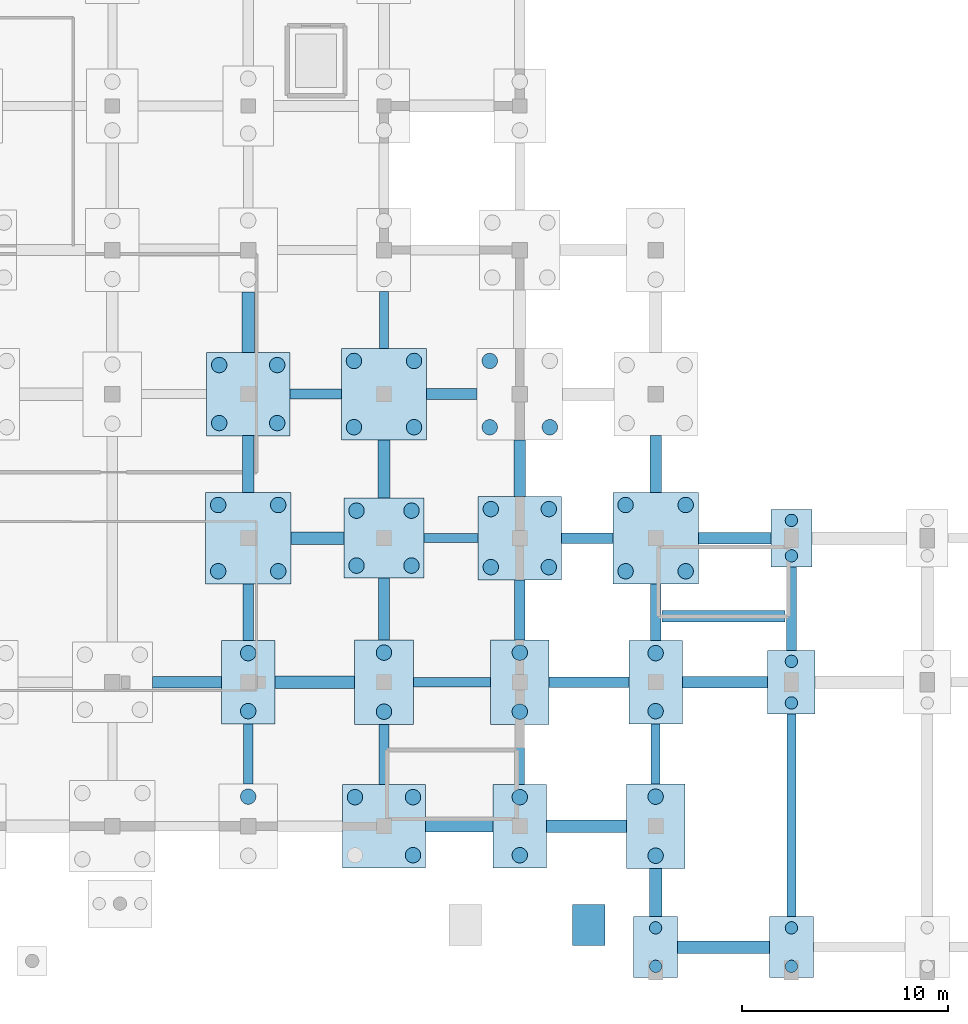
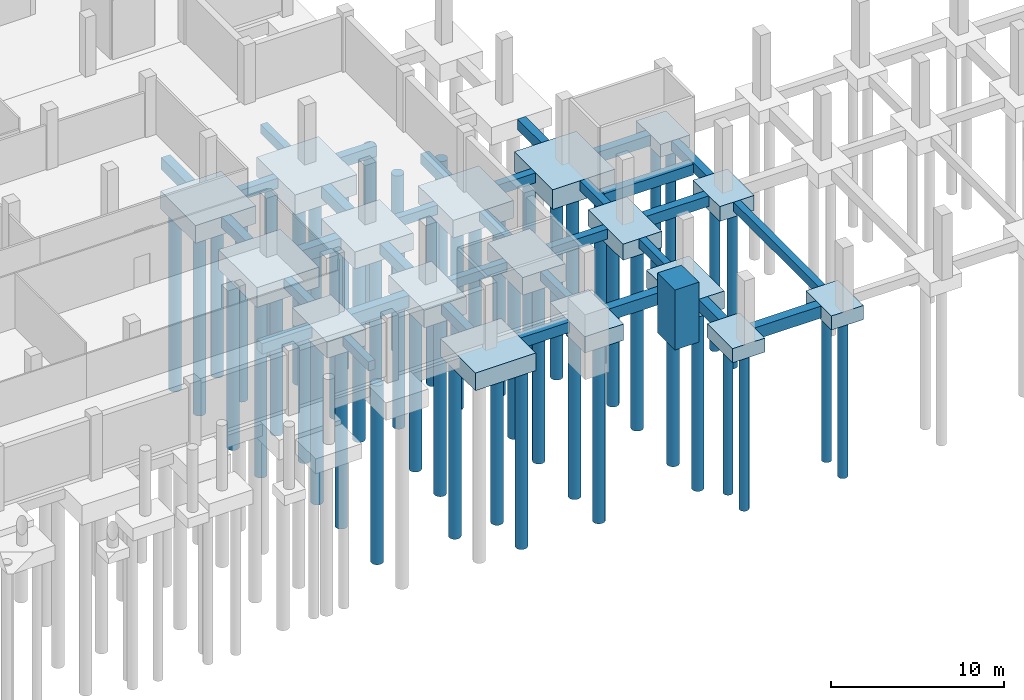
# One storey, part 5 of 27: 51 piles, 50 footings.
"""IFC4 building model written with IfcOpenShell, lengths in metres."""

import ifcopenshell
import ifcopenshell.guid

model = None  # the IFC model being written
_history = None  # IfcOwnerHistory: only IFC2X3 demands one
_inside = {}  # id of a spatial element -> (the spatial element, [elements in it])
_under = {}  # id of a project, library or spatial element -> (it, [spatial elements below it])
_declared = {}  # id of a project -> (the project, [libraries it declares])
_typed = {}  # id of a type object -> (the type object, [elements of that type])
_made_of = {}  # id of a material, layer set ... -> (it, [elements and type objects made of it])


def new_model(schema):
    """Start an empty IFC model of exactly this schema.

    Asked for "IFC4X3", IfcOpenShell would pick the latest addendum, in which some entities
    have other attributes; the version numbers below select the first issue.
    IFC2X3 requires an IfcOwnerHistory on every rooted entity: one is made here for all.
    """
    global model, _history
    if schema == "IFC4X3":
        model = ifcopenshell.file(schema_version=(4, 3, 0, 0))
    else:
        model = ifcopenshell.file(schema=schema)
    _inside.clear()
    _under.clear()
    _declared.clear()
    _typed.clear()
    _made_of.clear()
    _history = None
    if model.schema == "IFC2X3":
        org = make("IfcOrganization", Name="unknown")
        user = make(
            "IfcPersonAndOrganization",
            ThePerson=make("IfcPerson", FamilyName="unknown"),
            TheOrganization=org,
        )
        app = make(
            "IfcApplication",
            ApplicationDeveloper=org,
            Version="unknown",
            ApplicationFullName="unknown",
            ApplicationIdentifier="unknown",
        )
        _history = make(
            "IfcOwnerHistory",
            OwningUser=user,
            OwningApplication=app,
            ChangeAction="ADDED",
            CreationDate=0,
        )
    return model


def make(cls, **values):
    """One entity of the class cls with the attributes given. An attribute that is None is left unset."""
    return model.create_entity(
        cls, **{name: value for name, value in values.items() if value is not None}
    )


def rooted(cls, **values):
    """An entity with a GlobalId (a new one), such as an element, a storey or a relation."""
    return make(cls, GlobalId=ifcopenshell.guid.new(), OwnerHistory=_history, **values)


def si_unit(unit_type, name, prefix=None):
    """IfcSIUnit, for example si_unit("LENGTHUNIT", "METRE", prefix="MILLI")."""
    return make("IfcSIUnit", UnitType=unit_type, Prefix=prefix, Name=name)


def assignment(units):
    """IfcUnitAssignment: the units of a project."""
    return None if units is None else make("IfcUnitAssignment", Units=units)


def point(xyz):
    """IfcCartesianPoint."""
    return None if xyz is None else make("IfcCartesianPoint", Coordinates=xyz)


def direction(xyz):
    """IfcDirection."""
    return None if xyz is None else make("IfcDirection", DirectionRatios=xyz)


def frame(location, z_axis=None, x_axis=None):
    """IfcAxis2Placement3D, a coordinate frame: its origin and axes. An axis left out is left unset."""
    return make(
        "IfcAxis2Placement3D",
        Location=point(location),
        Axis=direction(z_axis),
        RefDirection=direction(x_axis),
    )


def frame_2d(location, x_axis=None):
    """IfcAxis2Placement2D, a coordinate frame in the plane: its origin and x axis."""
    return make(
        "IfcAxis2Placement2D", Location=point(location), RefDirection=direction(x_axis)
    )


def origin():
    """The frame at (0, 0, 0) with its axes left unset."""
    return frame((0.0, 0.0, 0.0))


def origin_2d():
    """The frame at (0, 0) in the plane with its x axis left unset."""
    return frame_2d((0.0, 0.0))


def place(relative_to, where):
    """IfcLocalPlacement: puts the frame where relative to a parent placement (None: the world)."""
    return make(
        "IfcLocalPlacement", PlacementRelTo=relative_to, RelativePlacement=where
    )


def context(
    kind, dimensions, precision=None, world=None, true_north=None, identifier=None
):
    """IfcGeometricRepresentationContext, for example the 3D "Model" context."""
    return make(
        "IfcGeometricRepresentationContext",
        ContextIdentifier=identifier,
        ContextType=kind,
        CoordinateSpaceDimension=dimensions,
        Precision=precision,
        WorldCoordinateSystem=world,
        TrueNorth=true_north,
    )


def subcontext(parent, identifier, kind, view, scale=None):
    """IfcGeometricRepresentationSubContext, for example "Body" below "Model"."""
    return make(
        "IfcGeometricRepresentationSubContext",
        ContextIdentifier=identifier,
        ContextType=kind,
        ParentContext=parent,
        TargetScale=scale,
        TargetView=view,
    )


def project(units=None, contexts=None):
    """IfcProject with its units and contexts."""
    return rooted(
        "IfcProject",
        Name="project",
        RepresentationContexts=contexts,
        UnitsInContext=assignment(units),
    )


def spatial(cls, under=None, at=None, **own):
    """A site, building, storey or space (cls), placed at a placement, below another one or the project."""
    s = rooted(cls, ObjectPlacement=at, **own)
    if under is not None:
        _under.setdefault(under.id(), (under, []))[1].append(s)
    return s


def profile(cls, at=None, kind="AREA", **sizes):
    """A parametric profile (cls). Its sizes go by their IFC names, for example OverallWidth=200.0."""
    return make(cls, ProfileType=kind, Position=at, **sizes)


def rectangle(**sizes):
    """IfcRectangleProfileDef."""
    return profile("IfcRectangleProfileDef", **sizes)


def circle(**sizes):
    """IfcCircleProfileDef."""
    return profile("IfcCircleProfileDef", **sizes)


def extrude(swept, where, along, depth):
    """IfcExtrudedAreaSolid: the profile swept, set in the frame where, extruded along a direction by depth."""
    return make(
        "IfcExtrudedAreaSolid",
        SweptArea=swept,
        Position=where,
        ExtrudedDirection=direction(along),
        Depth=depth,
    )


def shape(context_of_items, identifier, shape_type, items):
    """IfcShapeRepresentation: the items that make up one representation, for example the "Body"."""
    return make(
        "IfcShapeRepresentation",
        ContextOfItems=context_of_items,
        RepresentationIdentifier=identifier,
        RepresentationType=shape_type,
        Items=items,
    )


def material(Name=None, Category=None):
    """IfcMaterial."""
    return make("IfcMaterial", Name=Name, Category=Category)


def material_profile(
    of_material, cross_section, Name=None, Category=None, Priority=None
):
    """IfcMaterialProfile: a cross section and its material."""
    return make(
        "IfcMaterialProfile",
        Name=Name,
        Material=of_material,
        Profile=cross_section,
        Priority=Priority,
        Category=Category,
    )


def profile_set(profiles, Name=None, composite=None):
    """IfcMaterialProfileSet."""
    return make(
        "IfcMaterialProfileSet",
        Name=Name,
        MaterialProfiles=profiles,
        CompositeProfile=composite,
    )


def made_of(thing, what):
    """Note that an element or type object is made of a material, layer set ...; save() writes the relation."""
    if what is not None:
        _made_of.setdefault(what.id(), (what, []))[1].append(thing)
    return thing


def type_object(cls, material=None, **own):
    """A type object (cls), such as IfcWallType, which elements share."""
    return made_of(rooted(cls, **own), material)


def element(
    cls,
    number,
    at=None,
    inside=None,
    cuts=None,
    type_object=None,
    material=None,
    context=None,
    identifier="Body",
    shape_type=None,
    held_by="IfcProductDefinitionShape",
    body=None,
    shapes=None,
    **own,
):
    """One element of the class cls, such as IfcWall. Its Tag is "e" and its number.

    at: its placement. inside: the storey or other place that contains it. cuts: it is an
    opening in that element (IfcRelVoidsElement). A single representation is given by context,
    identifier, shape_type and body (its items); several are given by shapes. held_by: the class
    of the entity that holds the representations. save() writes the other relations.
    """
    e = rooted(cls, Tag="e%d" % number, ObjectPlacement=at, **own)
    if body is not None:
        shapes = [shape(context, identifier, shape_type, body)]
    if shapes is not None:
        e.Representation = make(held_by, Representations=shapes)
    if inside is not None:
        _inside.setdefault(inside.id(), (inside, []))[1].append(e)
    if cuts is not None:
        rooted(
            "IfcRelVoidsElement", RelatingBuildingElement=cuts, RelatedOpeningElement=e
        )
    if type_object is not None:
        _typed.setdefault(type_object.id(), (type_object, []))[1].append(e)
    return made_of(e, material)


def aggregate(whole, parts):
    """IfcRelAggregates: a whole, such as a stair, and the parts it consists of."""
    return rooted("IfcRelAggregates", RelatingObject=whole, RelatedObjects=parts)


def save(model, path):
    """Write the relations noted so far, then the file.

    IfcRelAggregates (storeys below a building ...), IfcRelContainedInSpatialStructure (elements
    in a storey), IfcRelDefinesByType, IfcRelAssociatesMaterial and IfcRelDeclares: one each for
    every whole, place, type object, material and project.
    """
    for whole, parts in _under.values():
        aggregate(whole, parts)
    for where, things in _inside.values():
        rooted(
            "IfcRelContainedInSpatialStructure",
            RelatedElements=things,
            RelatingStructure=where,
        )
    for kind, things in _typed.values():
        rooted("IfcRelDefinesByType", RelatedObjects=things, RelatingType=kind)
    for what, things in _made_of.values():
        rooted("IfcRelAssociatesMaterial", RelatedObjects=things, RelatingMaterial=what)
    for by, libraries in _declared.values():
        rooted("IfcRelDeclares", RelatingContext=by, RelatedDefinitions=libraries)
    model.write(path)


model = new_model("IFC4")

# Units and contexts
model_context = context("Model", 3, precision=1e-05, world=origin(), true_north=direction((0.0, 1.0)))
body_context = subcontext(model_context, "Body", "Model", "MODEL_VIEW")
ifc_project = project(units=[si_unit("LENGTHUNIT", "METRE"), si_unit("AREAUNIT", "SQUARE_METRE"), si_unit("VOLUMEUNIT", "CUBIC_METRE"), si_unit("PLANEANGLEUNIT", "RADIAN"), si_unit("MASSUNIT", "GRAM", prefix="KILO")], contexts=[model_context])

# Site, building, storey
site_placement = place(None, origin())
site = spatial("IfcSite", under=ifc_project, at=site_placement, CompositionType="ELEMENT")
building_placement = place(site_placement, origin())
building = spatial("IfcBuilding", under=site, at=building_placement, Name="Ciguamira Faculty of Natural Sciences", CompositionType="ELEMENT")
storey_placement = place(building_placement, frame((0.0, 0.0, -4.199951171875)))
storey = spatial("IfcBuildingStorey", under=building, at=storey_placement, Name="B1", CompositionType="ELEMENT", Elevation=-4.199951171875)

# Piles
ifc_material = material(Name="Concrete C35/45", Category="concrete")
ifc_material_profile_1 = material_profile(ifc_material, circle(Radius=0.300048828125, at=origin_2d()), Name="PILE-BORED-600")
ifc_profile_set_1 = profile_set([ifc_material_profile_1], Name="Concrete C35/45")
pile_type_1 = type_object("IfcPileType", Name="BoredPile_BP-01_600", PredefinedType="BORED", material=ifc_profile_set_1)
for number, where, z_axis, x_axis, name in (
    (1, (123.300048828125, 3.18994140625, -1.300048828125), (0.0, 0.0, -1.0), (1.0, 0.0, 0.0), "B1 bored pile 184-1"),
    (2, (123.300048828125, 5.06005859375, -1.300048828125), (0.0, 0.0, -1.0), (1.0, 0.0, 0.0), "B1 bored pile 184-2"),
    (3, (129.89990234375, 3.18994140625, -1.300048828125), (0.0, 0.0, -1.0), (1.0, 0.0, 0.0), "B1 bored pile 190-1"),
    (4, (129.89990234375, 5.06005859375, -1.300048828125), (0.0, 0.0, -1.0), (1.0, 0.0, 0.0), "B1 bored pile 190-2"),
):
    element("IfcPile", number, at=place(storey_placement, frame(where, z_axis=z_axis, x_axis=x_axis)), inside=storey, type_object=pile_type_1, Name=name, PredefinedType="BORED", context=body_context, shape_type="SweptSolid", body=[
        extrude(circle(Radius=0.300048828125, at=origin_2d()), origin(), (0.0, 0.0, 1.0), 11.10009765625),
    ])
for number, where, z_axis, x_axis, name in (
    (5, (129.89990234375, 15.989990234375, -1.35009765625), (0.0, 0.0, -1.0), (1.0, 0.0, 0.0), "B1 bored pile 191-1"),
    (6, (129.89990234375, 18.010009765625, -1.35009765625), (0.0, 0.0, -1.0), (1.0, 0.0, 0.0), "B1 bored pile 191-2"),
):
    element("IfcPile", number, at=place(storey_placement, frame(where, z_axis=z_axis, x_axis=x_axis)), inside=storey, type_object=pile_type_1, Name=name, PredefinedType="BORED", context=body_context, shape_type="SweptSolid", body=[
        extrude(circle(Radius=0.300048828125, at=origin_2d()), origin(), (0.0, 0.0, 1.0), 11.050048828125),
    ])
for number, where, z_axis, x_axis, name in (
    (7, (129.89990234375, 23.139892578125, -1.199951171875), (0.0, 0.0, -1.0), (1.0, 0.0, 0.0), "B1 bored pile 192-1"),
    (8, (129.89990234375, 24.860107421875, -1.199951171875), (0.0, 0.0, -1.0), (1.0, 0.0, 0.0), "B1 bored pile 192-2"),
):
    element("IfcPile", number, at=place(storey_placement, frame(where, z_axis=z_axis, x_axis=x_axis)), inside=storey, type_object=pile_type_1, Name=name, PredefinedType="BORED", context=body_context, shape_type="SweptSolid", body=[
        extrude(circle(Radius=0.300048828125, at=origin_2d()), origin(), (0.0, 0.0, 1.0), 11.199951171875),
    ])
ifc_material_profile_2 = material_profile(ifc_material, circle(Radius=0.375, at=origin_2d()), Name="PILE-BORED-750")
ifc_profile_set_2 = profile_set([ifc_material_profile_2], Name="Concrete C35/45")
pile_type_2 = type_object("IfcPileType", Name="BoredPile_BP-02_750", PredefinedType="BORED", material=ifc_profile_set_2)
pile_placement = place(storey_placement, frame((103.5, 11.43505859375, -1.550048828125), z_axis=(0.0, 0.0, -1.0), x_axis=(1.0, 0.0, 0.0)))
element("IfcPile", 9, at=pile_placement, inside=storey, type_object=pile_type_2, Name="B1 bored pile 137-2", PredefinedType="BORED", context=body_context, shape_type="SweptSolid", body=[
    extrude(circle(Radius=0.375, at=origin_2d()), origin(), (0.0, 0.0, 1.0), 12.64990234375),
])
for number, where, z_axis, x_axis, name in (
    (10, (103.5, 15.590087890625, -1.449951171875), (0.0, 0.0, -1.0), (1.0, 0.0, 0.0), "B1 bored pile 138-1"),
    (11, (103.5, 18.409912109375, -1.449951171875), (0.0, 0.0, -1.0), (1.0, 0.0, 0.0), "B1 bored pile 138-2"),
):
    element("IfcPile", number, at=place(storey_placement, frame(where, z_axis=z_axis, x_axis=x_axis)), inside=storey, type_object=pile_type_2, Name=name, PredefinedType="BORED", context=body_context, shape_type="SweptSolid", body=[
        extrude(circle(Radius=0.375, at=origin_2d()), origin(), (0.0, 0.0, 1.0), 12.75),
    ])
for number, where, z_axis, x_axis, name in (
    (12, (102.0400390625, 22.389892578125, -1.699951171875), (0.0, 0.0, -1.0), (1.0, 0.0, 0.0), "B1 bored pile 139-1"),
    (13, (104.9599609375, 22.389892578125, -1.699951171875), (0.0, 0.0, -1.0), (1.0, 0.0, 0.0), "B1 bored pile 139-2"),
    (14, (102.0400390625, 25.610107421875, -1.699951171875), (0.0, 0.0, -1.0), (1.0, 0.0, 0.0), "B1 bored pile 139-3"),
    (15, (104.9599609375, 25.610107421875, -1.699951171875), (0.0, 0.0, -1.0), (1.0, 0.0, 0.0), "B1 bored pile 139-4"),
):
    element("IfcPile", number, at=place(storey_placement, frame(where, z_axis=z_axis, x_axis=x_axis)), inside=storey, type_object=pile_type_2, Name=name, PredefinedType="BORED", context=body_context, shape_type="SweptSolid", body=[
        extrude(circle(Radius=0.375, at=origin_2d()), origin(), (0.0, 0.0, 1.0), 12.5),
    ])
for number, where, z_axis, x_axis, name in (
    (16, (102.090087890625, 29.590087890625, -1.550048828125), (0.0, 0.0, -1.0), (1.0, 0.0, 0.0), "B1 bored pile 140-1"),
    (17, (104.909912109375, 29.590087890625, -1.550048828125), (0.0, 0.0, -1.0), (1.0, 0.0, 0.0), "B1 bored pile 140-2"),
    (18, (102.090087890625, 32.409912109375, -1.550048828125), (0.0, 0.0, -1.0), (1.0, 0.0, 0.0), "B1 bored pile 140-3"),
    (19, (104.909912109375, 32.409912109375, -1.550048828125), (0.0, 0.0, -1.0), (1.0, 0.0, 0.0), "B1 bored pile 140-4"),
    (20, (111.510009765625, 8.590087890625, -1.550048828125), (0.0, 0.0, -1.0), (1.0, 0.0, 0.0), "B1 bored pile 152-2"),
    (21, (108.68994140625, 11.409912109375, -1.550048828125), (0.0, 0.0, -1.0), (1.0, 0.0, 0.0), "B1 bored pile 152-3"),
    (22, (111.510009765625, 11.409912109375, -1.550048828125), (0.0, 0.0, -1.0), (1.0, 0.0, 0.0), "B1 bored pile 152-4"),
    (23, (110.10009765625, 15.56494140625, -1.550048828125), (0.0, 0.0, -1.0), (1.0, 0.0, 0.0), "B1 bored pile 153-1"),
    (24, (110.10009765625, 18.43505859375, -1.550048828125), (0.0, 0.0, -1.0), (1.0, 0.0, 0.0), "B1 bored pile 153-2"),
):
    element("IfcPile", number, at=place(storey_placement, frame(where, z_axis=z_axis, x_axis=x_axis)), inside=storey, type_object=pile_type_2, Name=name, PredefinedType="BORED", context=body_context, shape_type="SweptSolid", body=[
        extrude(circle(Radius=0.375, at=origin_2d()), origin(), (0.0, 0.0, 1.0), 12.64990234375),
    ])
for number, where, z_axis, x_axis, name in (
    (25, (108.764892578125, 22.6650390625, -1.5), (0.0, 0.0, -1.0), (1.0, 0.0, 0.0), "B1 bored pile 154-1"),
    (26, (111.43505859375, 22.6650390625, -1.5), (0.0, 0.0, -1.0), (1.0, 0.0, 0.0), "B1 bored pile 154-2"),
    (27, (108.764892578125, 25.3349609375, -1.5), (0.0, 0.0, -1.0), (1.0, 0.0, 0.0), "B1 bored pile 154-3"),
    (28, (111.43505859375, 25.3349609375, -1.5), (0.0, 0.0, -1.0), (1.0, 0.0, 0.0), "B1 bored pile 154-4"),
):
    element("IfcPile", number, at=place(storey_placement, frame(where, z_axis=z_axis, x_axis=x_axis)), inside=storey, type_object=pile_type_2, Name=name, PredefinedType="BORED", context=body_context, shape_type="SweptSolid", body=[
        extrude(circle(Radius=0.375, at=origin_2d()), origin(), (0.0, 0.0, 1.0), 12.699951171875),
    ])
for number, where, z_axis, x_axis, name in (
    (29, (108.639892578125, 29.389892578125, -1.699951171875), (0.0, 0.0, -1.0), (1.0, 0.0, 0.0), "B1 bored pile 155-1"),
    (30, (111.56005859375, 29.389892578125, -1.699951171875), (0.0, 0.0, -1.0), (1.0, 0.0, 0.0), "B1 bored pile 155-2"),
    (31, (108.639892578125, 32.610107421875, -1.699951171875), (0.0, 0.0, -1.0), (1.0, 0.0, 0.0), "B1 bored pile 155-3"),
    (32, (111.56005859375, 32.610107421875, -1.699951171875), (0.0, 0.0, -1.0), (1.0, 0.0, 0.0), "B1 bored pile 155-4"),
):
    element("IfcPile", number, at=place(storey_placement, frame(where, z_axis=z_axis, x_axis=x_axis)), inside=storey, type_object=pile_type_2, Name=name, PredefinedType="BORED", context=body_context, shape_type="SweptSolid", body=[
        extrude(circle(Radius=0.375, at=origin_2d()), origin(), (0.0, 0.0, 1.0), 12.5),
    ])
for number, where, z_axis, x_axis, name in (
    (33, (116.699951171875, 8.590087890625, -1.449951171875), (0.0, 0.0, -1.0), (1.0, 0.0, 0.0), "B1 bored pile 168-1"),
    (34, (116.699951171875, 11.409912109375, -1.449951171875), (0.0, 0.0, -1.0), (1.0, 0.0, 0.0), "B1 bored pile 168-2"),
):
    element("IfcPile", number, at=place(storey_placement, frame(where, z_axis=z_axis, x_axis=x_axis)), inside=storey, type_object=pile_type_2, Name=name, PredefinedType="BORED", context=body_context, shape_type="SweptSolid", body=[
        extrude(circle(Radius=0.375, at=origin_2d()), origin(), (0.0, 0.0, 1.0), 12.75),
    ])
for number, where, z_axis, x_axis, name in (
    (35, (116.699951171875, 15.56494140625, -1.550048828125), (0.0, 0.0, -1.0), (1.0, 0.0, 0.0), "B1 bored pile 169-1"),
    (36, (116.699951171875, 18.43505859375, -1.550048828125), (0.0, 0.0, -1.0), (1.0, 0.0, 0.0), "B1 bored pile 169-2"),
    (37, (115.2900390625, 22.590087890625, -1.550048828125), (0.0, 0.0, -1.0), (1.0, 0.0, 0.0), "B1 bored pile 170-1"),
    (38, (118.110107421875, 22.590087890625, -1.550048828125), (0.0, 0.0, -1.0), (1.0, 0.0, 0.0), "B1 bored pile 170-2"),
    (39, (115.2900390625, 25.409912109375, -1.550048828125), (0.0, 0.0, -1.0), (1.0, 0.0, 0.0), "B1 bored pile 170-3"),
    (40, (118.110107421875, 25.409912109375, -1.550048828125), (0.0, 0.0, -1.0), (1.0, 0.0, 0.0), "B1 bored pile 170-4"),
):
    element("IfcPile", number, at=place(storey_placement, frame(where, z_axis=z_axis, x_axis=x_axis)), inside=storey, type_object=pile_type_2, Name=name, PredefinedType="BORED", context=body_context, shape_type="SweptSolid", body=[
        extrude(circle(Radius=0.375, at=origin_2d()), origin(), (0.0, 0.0, 1.0), 12.64990234375),
    ])
for number, where, z_axis, x_axis, name in (
    (41, (115.239990234375, 29.389892578125, -1.699951171875), (0.0, 0.0, -1.0), (1.0, 0.0, 0.0), "B1 bored pile 171-1"),
    (42, (118.159912109375, 29.389892578125, -1.699951171875), (0.0, 0.0, -1.0), (1.0, 0.0, 0.0), "B1 bored pile 171-2"),
    (43, (115.239990234375, 32.610107421875, -1.699951171875), (0.0, 0.0, -1.0), (1.0, 0.0, 0.0), "B1 bored pile 171-3"),
):
    element("IfcPile", number, at=place(storey_placement, frame(where, z_axis=z_axis, x_axis=x_axis)), inside=storey, type_object=pile_type_2, Name=name, PredefinedType="BORED", context=body_context, shape_type="SweptSolid", body=[
        extrude(circle(Radius=0.375, at=origin_2d()), origin(), (0.0, 0.0, 1.0), 12.5),
    ])
for number, where, z_axis, x_axis, name in (
    (44, (123.300048828125, 8.56494140625, -1.550048828125), (0.0, 0.0, -1.0), (1.0, 0.0, 0.0), "B1 bored pile 185-1"),
    (45, (123.300048828125, 11.43505859375, -1.550048828125), (0.0, 0.0, -1.0), (1.0, 0.0, 0.0), "B1 bored pile 185-2"),
):
    element("IfcPile", number, at=place(storey_placement, frame(where, z_axis=z_axis, x_axis=x_axis)), inside=storey, type_object=pile_type_2, Name=name, PredefinedType="BORED", context=body_context, shape_type="SweptSolid", body=[
        extrude(circle(Radius=0.375, at=origin_2d()), origin(), (0.0, 0.0, 1.0), 12.64990234375),
    ])
for number, where, z_axis, x_axis, name in (
    (46, (123.300048828125, 15.590087890625, -1.449951171875), (0.0, 0.0, -1.0), (1.0, 0.0, 0.0), "B1 bored pile 186-1"),
    (47, (123.300048828125, 18.409912109375, -1.449951171875), (0.0, 0.0, -1.0), (1.0, 0.0, 0.0), "B1 bored pile 186-2"),
):
    element("IfcPile", number, at=place(storey_placement, frame(where, z_axis=z_axis, x_axis=x_axis)), inside=storey, type_object=pile_type_2, Name=name, PredefinedType="BORED", context=body_context, shape_type="SweptSolid", body=[
        extrude(circle(Radius=0.375, at=origin_2d()), origin(), (0.0, 0.0, 1.0), 12.75),
    ])
for number, where, z_axis, x_axis, name in (
    (48, (121.840087890625, 22.389892578125, -1.699951171875), (0.0, 0.0, -1.0), (1.0, 0.0, 0.0), "B1 bored pile 187-1"),
    (49, (124.760009765625, 22.389892578125, -1.699951171875), (0.0, 0.0, -1.0), (1.0, 0.0, 0.0), "B1 bored pile 187-2"),
    (50, (121.840087890625, 25.610107421875, -1.699951171875), (0.0, 0.0, -1.0), (1.0, 0.0, 0.0), "B1 bored pile 187-3"),
    (51, (124.760009765625, 25.610107421875, -1.699951171875), (0.0, 0.0, -1.0), (1.0, 0.0, 0.0), "B1 bored pile 187-4"),
):
    element("IfcPile", number, at=place(storey_placement, frame(where, z_axis=z_axis, x_axis=x_axis)), inside=storey, type_object=pile_type_2, Name=name, PredefinedType="BORED", context=body_context, shape_type="SweptSolid", body=[
        extrude(circle(Radius=0.375, at=origin_2d()), origin(), (0.0, 0.0, 1.0), 12.5),
    ])

# Footings
ifc_material_profile_3 = material_profile(ifc_material, rectangle(XDim=0.449951171875, YDim=0.64990234375, at=origin_2d()), Name="RC-FB-450X650")
ifc_profile_set_3 = profile_set([ifc_material_profile_3], Name="Concrete C35/45")
footing_type_1 = type_object("IfcFootingType", Name="FootingBeam_FB-01_450x650", PredefinedType="FOOTING_BEAM", material=ifc_profile_set_3)
footing_1_placement = place(storey_placement, frame((111.52490234375, 17.0, -0.72509765625), z_axis=(1.0, 0.0, 0.0), x_axis=(0.0, 1.0, 0.0)))
element("IfcFooting", 52, at=footing_1_placement, inside=storey, type_object=footing_type_1, Name="B1 ground tie beam 0049", PredefinedType="FOOTING_BEAM", context=body_context, shape_type="SweptSolid", body=[
    extrude(rectangle(XDim=0.449951171875, YDim=0.64990234375, at=origin_2d()), origin(), (0.0, 0.0, 1.0), 3.75),
])
footing_2_placement = place(storey_placement, frame((112.050048828125, 24.0, -0.72509765625), z_axis=(1.0, 0.0, 0.0), x_axis=(0.0, 1.0, 0.0)))
element("IfcFooting", 53, at=footing_2_placement, inside=storey, type_object=footing_type_1, Name="B1 ground tie beam 0069", PredefinedType="FOOTING_BEAM", context=body_context, shape_type="SweptSolid", body=[
    extrude(rectangle(XDim=0.449951171875, YDim=0.64990234375, at=origin_2d()), origin(), (0.0, 0.0, 1.0), 2.625),
])
footing_3_placement = place(storey_placement, frame((103.5, 12.050048828125, -0.72509765625), z_axis=(0.0, 1.0, 0.0), x_axis=(-1.0, 0.0, 0.0)))
element("IfcFooting", 54, at=footing_3_placement, inside=storey, type_object=footing_type_1, Name="B1 ground tie beam 0309", PredefinedType="FOOTING_BEAM", context=body_context, shape_type="SweptSolid", body=[
    extrude(rectangle(XDim=0.449951171875, YDim=0.64990234375, at=origin_2d()), origin(), (0.0, 0.0, 1.0), 2.925048828125),
])
footing_4_placement = place(storey_placement, frame((110.10009765625, 33.22509765625, -0.72509765625), z_axis=(0.0, 1.0, 0.0), x_axis=(-1.0, 0.0, 0.0)))
element("IfcFooting", 55, at=footing_4_placement, inside=storey, type_object=footing_type_1, Name="B1 ground tie beam 0325", PredefinedType="FOOTING_BEAM", context=body_context, shape_type="SweptSolid", body=[
    extrude(rectangle(XDim=0.449951171875, YDim=0.64990234375, at=origin_2d()), origin(), (0.0, 0.0, 1.0), 2.75),
])
for number, where, z_axis, x_axis, name in (
    (56, (116.699951171875, 12.02490234375, -0.72509765625), (0.0, 1.0, 0.0), (-1.0, 0.0, 0.0), "B1 ground tie beam 0337"),
    (57, (123.300048828125, 12.050048828125, -0.72509765625), (0.0, 1.0, 0.0), (-1.0, 0.0, 0.0), "B1 ground tie beam 0353"),
):
    element("IfcFooting", number, at=place(storey_placement, frame(where, z_axis=z_axis, x_axis=x_axis)), inside=storey, type_object=footing_type_1, Name=name, PredefinedType="FOOTING_BEAM", context=body_context, shape_type="SweptSolid", body=[
        extrude(rectangle(XDim=0.449951171875, YDim=0.64990234375, at=origin_2d()), origin(), (0.0, 0.0, 1.0), 2.925048828125),
    ])
footing_5_placement = place(storey_placement, frame((129.89990234375, 5.60009765625, -0.72509765625), z_axis=(0.0, 1.0, 0.0), x_axis=(-1.0, 0.0, 0.0)))
element("IfcFooting", 58, at=footing_5_placement, inside=storey, type_object=footing_type_1, Name="B1 ground tie beam 0357", PredefinedType="FOOTING_BEAM", context=body_context, shape_type="SweptSolid", body=[
    extrude(rectangle(XDim=0.449951171875, YDim=0.64990234375, at=origin_2d()), origin(), (0.0, 0.0, 1.0), 9.849853515625),
])
ifc_material_profile_4 = material_profile(ifc_material, rectangle(XDim=0.5, YDim=0.699951171875, at=origin_2d()), Name="RC-FB-500X700")
ifc_profile_set_4 = profile_set([ifc_material_profile_4], Name="Concrete C35/45")
footing_type_2 = type_object("IfcFootingType", Name="FootingBeam_FB-02_500x700", PredefinedType="FOOTING_BEAM", material=ifc_profile_set_4)
footing_6_placement = place(storey_placement, frame((118.125, 17.0, -0.75), z_axis=(1.0, 0.0, 0.0), x_axis=(0.0, 1.0, 0.0)))
element("IfcFooting", 59, at=footing_6_placement, inside=storey, type_object=footing_type_2, Name="B1 ground tie beam 0050", PredefinedType="FOOTING_BEAM", context=body_context, shape_type="SweptSolid", body=[
    extrude(rectangle(XDim=0.5, YDim=0.699951171875, at=origin_2d()), origin(), (0.0, 0.0, 1.0), 3.875),
])
for number, where, z_axis, x_axis, name in (
    (60, (118.72509765625, 24.0, -0.75), (1.0, 0.0, 0.0), (0.0, 1.0, 0.0), "B1 ground tie beam 0070"),
    (61, (105.52490234375, 31.0, -0.75), (1.0, 0.0, 0.0), (0.0, 1.0, 0.0), "B1 ground tie beam 0086"),
):
    element("IfcFooting", number, at=place(storey_placement, frame(where, z_axis=z_axis, x_axis=x_axis)), inside=storey, type_object=footing_type_2, Name=name, PredefinedType="FOOTING_BEAM", context=body_context, shape_type="SweptSolid", body=[
        extrude(rectangle(XDim=0.5, YDim=0.699951171875, at=origin_2d()), origin(), (0.0, 0.0, 1.0), 2.5),
    ])
footing_7_placement = place(storey_placement, frame((103.5, 19.02490234375, -0.75), z_axis=(0.0, 1.0, 0.0), x_axis=(-1.0, 0.0, 0.0)))
element("IfcFooting", 62, at=footing_7_placement, inside=storey, type_object=footing_type_2, Name="B1 ground tie beam 0310", PredefinedType="FOOTING_BEAM", context=body_context, shape_type="SweptSolid", body=[
    extrude(rectangle(XDim=0.5, YDim=0.699951171875, at=origin_2d()), origin(), (0.0, 0.0, 1.0), 2.75),
])
for number, where, z_axis, x_axis, name in (
    (63, (110.10009765625, 12.02490234375, -0.75), (0.0, 1.0, 0.0), (-1.0, 0.0, 0.0), "B1 ground tie beam 0322"),
    (64, (116.699951171875, 19.050048828125, -0.75), (0.0, 1.0, 0.0), (-1.0, 0.0, 0.0), "B1 ground tie beam 0338"),
):
    element("IfcFooting", number, at=place(storey_placement, frame(where, z_axis=z_axis, x_axis=x_axis)), inside=storey, type_object=footing_type_2, Name=name, PredefinedType="FOOTING_BEAM", context=body_context, shape_type="SweptSolid", body=[
        extrude(rectangle(XDim=0.5, YDim=0.699951171875, at=origin_2d()), origin(), (0.0, 0.0, 1.0), 2.925048828125),
    ])
footing_8_placement = place(storey_placement, frame((123.300048828125, 19.02490234375, -0.75), z_axis=(0.0, 1.0, 0.0), x_axis=(-1.0, 0.0, 0.0)))
element("IfcFooting", 65, at=footing_8_placement, inside=storey, type_object=footing_type_2, Name="B1 ground tie beam 0354", PredefinedType="FOOTING_BEAM", context=body_context, shape_type="SweptSolid", body=[
    extrude(rectangle(XDim=0.5, YDim=0.699951171875, at=origin_2d()), origin(), (0.0, 0.0, 1.0), 2.75),
])
footing_9_placement = place(storey_placement, frame((129.89990234375, 18.550048828125, -0.75), z_axis=(0.0, 1.0, 0.0), x_axis=(-1.0, 0.0, 0.0)))
element("IfcFooting", 66, at=footing_9_placement, inside=storey, type_object=footing_type_2, Name="B1 ground tie beam 0358", PredefinedType="FOOTING_BEAM", context=body_context, shape_type="SweptSolid", body=[
    extrude(rectangle(XDim=0.5, YDim=0.699951171875, at=origin_2d()), origin(), (0.0, 0.0, 1.0), 4.050048828125),
])
ifc_material_profile_5 = material_profile(ifc_material, rectangle(XDim=0.550048828125, YDim=0.75, at=origin_2d()), Name="RC-FB-550X750")
ifc_profile_set_5 = profile_set([ifc_material_profile_5], Name="Concrete C35/45")
footing_type_3 = type_object("IfcFootingType", Name="FootingBeam_FB-03_550x750", PredefinedType="FOOTING_BEAM", material=ifc_profile_set_5)
footing_10_placement = place(storey_placement, frame((112.125, 10.0, -0.775146484375), z_axis=(1.0, 0.0, 0.0), x_axis=(0.0, 1.0, 0.0)))
element("IfcFooting", 67, at=footing_10_placement, inside=storey, type_object=footing_type_3, Name="B1 ground tie beam 0031", PredefinedType="FOOTING_BEAM", context=body_context, shape_type="SweptSolid", body=[
    extrude(rectangle(XDim=0.550048828125, YDim=0.75, at=origin_2d()), origin(), (0.0, 0.0, 1.0), 3.27490234375),
])
footing_11_placement = place(storey_placement, frame((98.85009765625, 17.0, -0.775146484375), z_axis=(1.0, 0.0, 0.0), x_axis=(0.0, 1.0, 0.0)))
element("IfcFooting", 68, at=footing_11_placement, inside=storey, type_object=footing_type_3, Name="B1 ground tie beam 0047", PredefinedType="FOOTING_BEAM", context=body_context, shape_type="SweptSolid", body=[
    extrude(rectangle(XDim=0.550048828125, YDim=0.75, at=origin_2d()), origin(), (0.0, 0.0, 1.0), 3.349853515625),
])
footing_12_placement = place(storey_placement, frame((124.60009765625, 17.0, -0.775146484375), z_axis=(1.0, 0.0, 0.0), x_axis=(0.0, 1.0, 0.0)))
element("IfcFooting", 69, at=footing_12_placement, inside=storey, type_object=footing_type_3, Name="B1 ground tie beam 0051", PredefinedType="FOOTING_BEAM", context=body_context, shape_type="SweptSolid", body=[
    extrude(rectangle(XDim=0.550048828125, YDim=0.75, at=origin_2d()), origin(), (0.0, 0.0, 1.0), 4.14990234375),
])
footing_13_placement = place(storey_placement, frame((125.375, 24.0, -0.775146484375), z_axis=(1.0, 0.0, 0.0), x_axis=(0.0, 1.0, 0.0)))
element("IfcFooting", 70, at=footing_13_placement, inside=storey, type_object=footing_type_3, Name="B1 ground tie beam 0071", PredefinedType="FOOTING_BEAM", context=body_context, shape_type="SweptSolid", body=[
    extrude(rectangle(XDim=0.550048828125, YDim=0.75, at=origin_2d()), origin(), (0.0, 0.0, 1.0), 3.52490234375),
])
footing_14_placement = place(storey_placement, frame((112.175048828125, 31.0, -0.775146484375), z_axis=(1.0, 0.0, 0.0), x_axis=(0.0, 1.0, 0.0)))
element("IfcFooting", 71, at=footing_14_placement, inside=storey, type_object=footing_type_3, Name="B1 ground tie beam 0087", PredefinedType="FOOTING_BEAM", context=body_context, shape_type="SweptSolid", body=[
    extrude(rectangle(XDim=0.550048828125, YDim=0.75, at=origin_2d()), origin(), (0.0, 0.0, 1.0), 2.449951171875),
])
footing_15_placement = place(storey_placement, frame((103.5, 26.22509765625, -0.775146484375), z_axis=(0.0, 1.0, 0.0), x_axis=(-1.0, 0.0, 0.0)))
element("IfcFooting", 72, at=footing_15_placement, inside=storey, type_object=footing_type_3, Name="B1 ground tie beam 0311", PredefinedType="FOOTING_BEAM", context=body_context, shape_type="SweptSolid", body=[
    extrude(rectangle(XDim=0.550048828125, YDim=0.75, at=origin_2d()), origin(), (0.0, 0.0, 1.0), 2.75),
])
footing_16_placement = place(storey_placement, frame((110.10009765625, 19.050048828125, -0.775146484375), z_axis=(0.0, 1.0, 0.0), x_axis=(-1.0, 0.0, 0.0)))
element("IfcFooting", 73, at=footing_16_placement, inside=storey, type_object=footing_type_3, Name="B1 ground tie beam 0323", PredefinedType="FOOTING_BEAM", context=body_context, shape_type="SweptSolid", body=[
    extrude(rectangle(XDim=0.550048828125, YDim=0.75, at=origin_2d()), origin(), (0.0, 0.0, 1.0), 3.0),
])
for number, where, z_axis, x_axis, name in (
    (74, (116.699951171875, 26.02490234375, -0.775146484375), (0.0, 1.0, 0.0), (-1.0, 0.0, 0.0), "B1 ground tie beam 0339"),
    (75, (123.300048828125, 26.22509765625, -0.775146484375), (0.0, 1.0, 0.0), (-1.0, 0.0, 0.0), "B1 ground tie beam 0355"),
):
    element("IfcFooting", number, at=place(storey_placement, frame(where, z_axis=z_axis, x_axis=x_axis)), inside=storey, type_object=footing_type_3, Name=name, PredefinedType="FOOTING_BEAM", context=body_context, shape_type="SweptSolid", body=[
        extrude(rectangle(XDim=0.550048828125, YDim=0.75, at=origin_2d()), origin(), (0.0, 0.0, 1.0), 2.75),
    ])
footing_17_placement = place(storey_placement, frame((123.610107421875, 20.199951171875, -0.775146484375), z_axis=(1.0, 0.0, 0.0), x_axis=(0.0, 1.0, 0.0)))
element("IfcFooting", 76, at=footing_17_placement, inside=storey, type_object=footing_type_3, Name="B1 ST-L1 core transverse footing beam south", PredefinedType="FOOTING_BEAM", context=body_context, shape_type="SweptSolid", body=[
    extrude(rectangle(XDim=0.550048828125, YDim=0.75, at=origin_2d()), origin(), (0.0, 0.0, 1.0), 5.97998046875),
])
ifc_material_profile_6 = material_profile(ifc_material, rectangle(XDim=0.60009765625, YDim=0.85009765625, at=origin_2d()), Name="RC-FB-600X850")
ifc_profile_set_6 = profile_set([ifc_material_profile_6], Name="Concrete C35/45")
footing_type_4 = type_object("IfcFootingType", Name="FootingBeam_FB-04_600x850", PredefinedType="FOOTING_BEAM", material=ifc_profile_set_6)
footing_18_placement = place(storey_placement, frame((124.375, 4.125, -0.824951171875), z_axis=(1.0, 0.0, 0.0), x_axis=(0.0, 1.0, 0.0)))
element("IfcFooting", 77, at=footing_18_placement, inside=storey, type_object=footing_type_4, Name="B1 ground tie beam 0008", PredefinedType="FOOTING_BEAM", context=body_context, shape_type="SweptSolid", body=[
    extrude(rectangle(XDim=0.60009765625, YDim=0.85009765625, at=origin_2d()), origin(), (0.0, 0.0, 1.0), 4.449951171875),
])
for number, where, z_axis, x_axis, name in (
    (78, (118.0, 10.0, -0.824951171875), (1.0, 0.0, 0.0), (0.0, 1.0, 0.0), "B1 ground tie beam 0032"),
    (79, (104.800048828125, 17.0, -0.824951171875), (1.0, 0.0, 0.0), (0.0, 1.0, 0.0), "B1 ground tie beam 0048"),
):
    element("IfcFooting", number, at=place(storey_placement, frame(where, z_axis=z_axis, x_axis=x_axis)), inside=storey, type_object=footing_type_4, Name=name, PredefinedType="FOOTING_BEAM", context=body_context, shape_type="SweptSolid", body=[
        extrude(rectangle(XDim=0.60009765625, YDim=0.85009765625, at=origin_2d()), origin(), (0.0, 0.0, 1.0), 3.875),
    ])
footing_19_placement = place(storey_placement, frame((105.574951171875, 24.0, -0.824951171875), z_axis=(1.0, 0.0, 0.0), x_axis=(0.0, 1.0, 0.0)))
element("IfcFooting", 80, at=footing_19_placement, inside=storey, type_object=footing_type_4, Name="B1 ground tie beam 0068", PredefinedType="FOOTING_BEAM", context=body_context, shape_type="SweptSolid", body=[
    extrude(rectangle(XDim=0.60009765625, YDim=0.85009765625, at=origin_2d()), origin(), (0.0, 0.0, 1.0), 2.574951171875),
])
footing_20_placement = place(storey_placement, frame((103.5, 33.02490234375, -0.824951171875), z_axis=(0.0, 1.0, 0.0), x_axis=(-1.0, 0.0, 0.0)))
element("IfcFooting", 81, at=footing_20_placement, inside=storey, type_object=footing_type_4, Name="B1 ground tie beam 0312", PredefinedType="FOOTING_BEAM", context=body_context, shape_type="SweptSolid", body=[
    extrude(rectangle(XDim=0.60009765625, YDim=0.85009765625, at=origin_2d()), origin(), (0.0, 0.0, 1.0), 2.925048828125),
])
footing_21_placement = place(storey_placement, frame((110.10009765625, 25.949951171875, -0.824951171875), z_axis=(0.0, 1.0, 0.0), x_axis=(-1.0, 0.0, 0.0)))
element("IfcFooting", 82, at=footing_21_placement, inside=storey, type_object=footing_type_4, Name="B1 ground tie beam 0324", PredefinedType="FOOTING_BEAM", context=body_context, shape_type="SweptSolid", body=[
    extrude(rectangle(XDim=0.60009765625, YDim=0.85009765625, at=origin_2d()), origin(), (0.0, 0.0, 1.0), 2.824951171875),
])
footing_22_placement = place(storey_placement, frame((123.300048828125, 5.60009765625, -0.824951171875), z_axis=(0.0, 1.0, 0.0), x_axis=(-1.0, 0.0, 0.0)))
element("IfcFooting", 83, at=footing_22_placement, inside=storey, type_object=footing_type_4, Name="B1 ground tie beam 0352", PredefinedType="FOOTING_BEAM", context=body_context, shape_type="SweptSolid", body=[
    extrude(rectangle(XDim=0.60009765625, YDim=0.85009765625, at=origin_2d()), origin(), (0.0, 0.0, 1.0), 2.349853515625),
])
footing_type_5 = type_object("IfcFootingType", Name="PileCap_PC-01_200x280x90", PredefinedType="PILE_CAP", material=ifc_material)
footing_23_placement = place(storey_placement, frame((129.89990234375, 24.0, -1.300048828125), z_axis=(0.0, 0.0, 1.0), x_axis=(1.0, 0.0, 0.0)))
element("IfcFooting", 84, at=footing_23_placement, inside=storey, type_object=footing_type_5, Name="B1 pile cap PC-01 at (129.9, 24.0)", PredefinedType="PILE_CAP", context=body_context, shape_type="SweptSolid", body=[
    extrude(rectangle(XDim=2.0, YDim=2.800048828125, at=origin_2d()), origin(), (0.0, 0.0, 1.0), 0.89990234375),
])
footing_type_6 = type_object("IfcFootingType", Name="PileCap_PC-02_215x295x100", PredefinedType="PILE_CAP", material=ifc_material)
for number, where, z_axis, x_axis, name in (
    (85, (123.300048828125, 4.125, -1.400146484375), (0.0, 0.0, 1.0), (1.0, 0.0, 0.0), "B1 pile cap PC-02 at (123.3, 3.0)"),
    (86, (129.89990234375, 4.125, -1.400146484375), (0.0, 0.0, 1.0), (1.0, 0.0, 0.0), "B1 pile cap PC-02 at (129.9, 3.0)"),
):
    element("IfcFooting", number, at=place(storey_placement, frame(where, z_axis=z_axis, x_axis=x_axis)), inside=storey, type_object=footing_type_6, Name=name, PredefinedType="PILE_CAP", context=body_context, shape_type="SweptSolid", body=[
        extrude(rectangle(XDim=2.14990234375, YDim=2.949951171875, at=origin_2d()), origin(), (0.0, 0.0, 1.0), 1.0),
    ])
footing_type_7 = type_object("IfcFootingType", Name="PileCap_PC-03_230x310x105", PredefinedType="PILE_CAP", material=ifc_material)
footing_24_placement = place(storey_placement, frame((129.89990234375, 17.0, -1.4501953125), z_axis=(0.0, 0.0, 1.0), x_axis=(1.0, 0.0, 0.0)))
element("IfcFooting", 87, at=footing_24_placement, inside=storey, type_object=footing_type_7, Name="B1 pile cap PC-03 at (129.9, 17.0)", PredefinedType="PILE_CAP", context=body_context, shape_type="SweptSolid", body=[
    extrude(rectangle(XDim=2.300048828125, YDim=3.10009765625, at=origin_2d()), origin(), (0.0, 0.0, 1.0), 1.050048828125),
])
footing_type_8 = type_object("IfcFootingType", Name="PileCap_PC-05_260x405x115", PredefinedType="PILE_CAP", material=ifc_material)
for number, where, z_axis, x_axis, name in (
    (88, (103.5, 17.0, -1.550048828125), (0.0, 0.0, 1.0), (1.0, 0.0, 0.0), "B1 pile cap PC-05 at (103.5, 17.0)"),
    (89, (116.699951171875, 10.0, -1.550048828125), (0.0, 0.0, 1.0), (1.0, 0.0, 0.0), "B1 pile cap PC-05 at (116.7, 10.0)"),
    (90, (123.300048828125, 17.0, -1.550048828125), (0.0, 0.0, 1.0), (1.0, 0.0, 0.0), "B1 pile cap PC-05 at (123.3, 17.0)"),
):
    element("IfcFooting", number, at=place(storey_placement, frame(where, z_axis=z_axis, x_axis=x_axis)), inside=storey, type_object=footing_type_8, Name=name, PredefinedType="PILE_CAP", context=body_context, shape_type="SweptSolid", body=[
        extrude(rectangle(XDim=2.60009765625, YDim=4.050048828125, at=origin_2d()), origin(), (0.0, 0.0, 1.0), 1.14990234375),
    ])
footing_type_9 = type_object("IfcFootingType", Name="PileCap_PC-06_390x390x120", PredefinedType="PILE_CAP", material=ifc_material)
footing_25_placement = place(storey_placement, frame((110.10009765625, 24.0, -1.60009765625), z_axis=(0.0, 0.0, 1.0), x_axis=(1.0, 0.0, 0.0)))
element("IfcFooting", 91, at=footing_25_placement, inside=storey, type_object=footing_type_9, Name="B1 pile cap PC-06 at (110.1, 24.0)", PredefinedType="PILE_CAP", context=body_context, shape_type="SweptSolid", body=[
    extrude(rectangle(XDim=3.89990234375, YDim=3.89990234375, at=origin_2d()), origin(), (0.0, 0.0, 1.0), 1.199951171875),
])
footing_type_10 = type_object("IfcFootingType", Name="PileCap_PC-07_405x405x125", PredefinedType="PILE_CAP", material=ifc_material)
for number, where, z_axis, x_axis, name in (
    (92, (103.5, 31.0, -1.650146484375), (0.0, 0.0, 1.0), (1.0, 0.0, 0.0), "B1 pile cap PC-07 at (103.5, 31.0)"),
    (93, (110.10009765625, 10.0, -1.650146484375), (0.0, 0.0, 1.0), (1.0, 0.0, 0.0), "B1 pile cap PC-07 at (110.1, 10.0)"),
    (94, (116.699951171875, 24.0, -1.650146484375), (0.0, 0.0, 1.0), (1.0, 0.0, 0.0), "B1 pile cap PC-07 at (116.7, 24.0)"),
):
    element("IfcFooting", number, at=place(storey_placement, frame(where, z_axis=z_axis, x_axis=x_axis)), inside=storey, type_object=footing_type_10, Name=name, PredefinedType="PILE_CAP", context=body_context, shape_type="SweptSolid", body=[
        extrude(rectangle(XDim=4.050048828125, YDim=4.050048828125, at=origin_2d()), origin(), (0.0, 0.0, 1.0), 1.25),
    ])
footing_type_11 = type_object("IfcFootingType", Name="PileCap_PC-14_285x410x125", PredefinedType="PILE_CAP", material=ifc_material)
for number, where, z_axis, x_axis, name in (
    (95, (110.10009765625, 17.0, -1.650146484375), (0.0, 0.0, 1.0), (1.0, 0.0, 0.0), "B1 pile cap PC-14 at (110.1, 17.0)"),
    (96, (116.699951171875, 17.0, -1.650146484375), (0.0, 0.0, 1.0), (1.0, 0.0, 0.0), "B1 pile cap PC-14 at (116.7, 17.0)"),
    (97, (123.300048828125, 10.0, -1.650146484375), (0.0, 0.0, 1.0), (1.0, 0.0, 0.0), "B1 pile cap PC-14 at (123.3, 10.0)"),
):
    element("IfcFooting", number, at=place(storey_placement, frame(where, z_axis=z_axis, x_axis=x_axis)), inside=storey, type_object=footing_type_11, Name=name, PredefinedType="PILE_CAP", context=body_context, shape_type="SweptSolid", body=[
        extrude(rectangle(XDim=2.85009765625, YDim=4.10009765625, at=origin_2d()), origin(), (0.0, 0.0, 1.0), 1.25),
    ])
footing_type_12 = type_object("IfcFootingType", Name="PileCap_PC-16_415x445x140", PredefinedType="PILE_CAP", material=ifc_material)
for number, where, z_axis, x_axis, name in (
    (98, (103.5, 24.0, -1.800048828125), (0.0, 0.0, 1.0), (1.0, 0.0, 0.0), "B1 pile cap PC-16 at (103.5, 24.0)"),
    (99, (110.10009765625, 31.0, -1.800048828125), (0.0, 0.0, 1.0), (1.0, 0.0, 0.0), "B1 pile cap PC-16 at (110.1, 31.0)"),
    (100, (123.300048828125, 24.0, -1.800048828125), (0.0, 0.0, 1.0), (1.0, 0.0, 0.0), "B1 pile cap PC-16 at (123.3, 24.0)"),
):
    element("IfcFooting", number, at=place(storey_placement, frame(where, z_axis=z_axis, x_axis=x_axis)), inside=storey, type_object=footing_type_12, Name=name, PredefinedType="PILE_CAP", context=body_context, shape_type="SweptSolid", body=[
        extrude(rectangle(XDim=4.14990234375, YDim=4.449951171875, at=origin_2d()), origin(), (0.0, 0.0, 1.0), 1.39990234375),
    ])
footing_type_13 = type_object("IfcFootingType", Name="RampFootPad_RFP01", PredefinedType="PAD_FOOTING", material=ifc_material)
footing_26_placement = place(storey_placement, frame((120.050048828125, 5.199951171875, -0.400146484375), z_axis=(0.0, 0.0, 1.0), x_axis=(-1.0, 0.0, 0.0)))
element("IfcFooting", 101, at=footing_26_placement, inside=storey, type_object=footing_type_13, Name="South Forecourt Accessible Ramp East foundation pier", PredefinedType="PAD_FOOTING", context=body_context, shape_type="SweptSolid", body=[
    extrude(rectangle(XDim=1.60009765625, YDim=2.0, at=origin_2d()), origin(), (0.0, 0.0, 1.0), 4.25),
])

save(model, "model.ifc")
